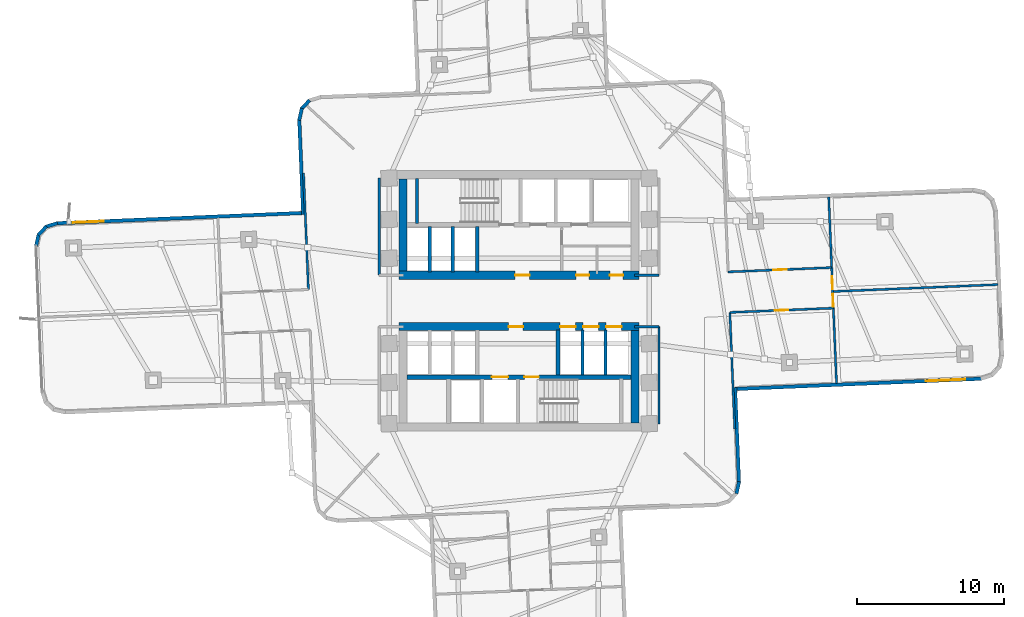
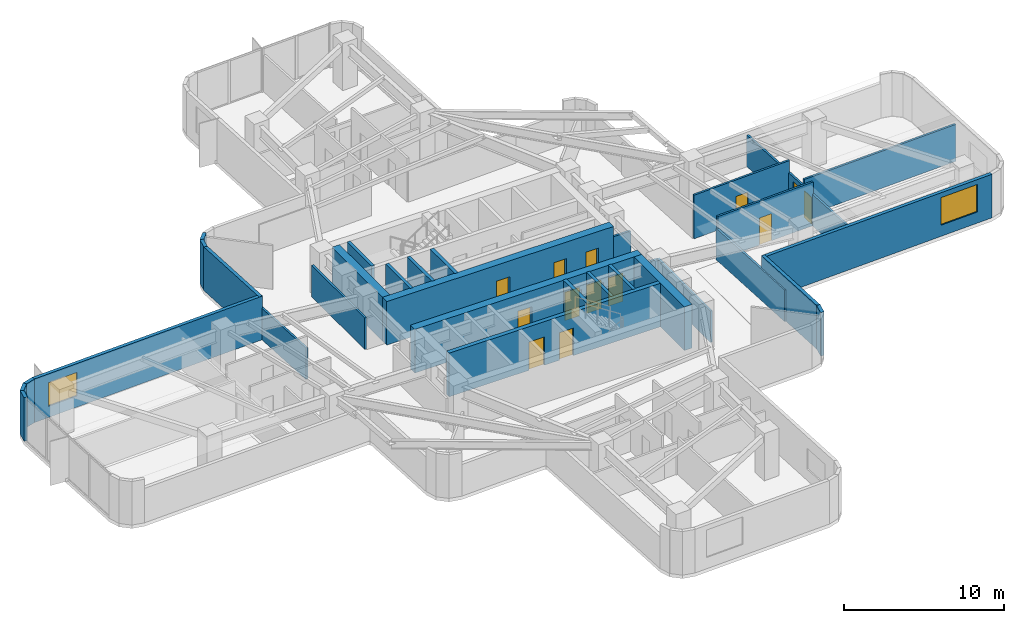
# One storey, part 9 of 15: 32 walls, 13 doors, 2 windows, 15 openings.
"""IFC4 building model written with IfcOpenShell, lengths in metres."""

import ifcopenshell
import ifcopenshell.guid

model = None  # the IFC model being written
_history = None  # IfcOwnerHistory: only IFC2X3 demands one
_inside = {}  # id of a spatial element -> (the spatial element, [elements in it])
_under = {}  # id of a project, library or spatial element -> (it, [spatial elements below it])
_declared = {}  # id of a project -> (the project, [libraries it declares])
_typed = {}  # id of a type object -> (the type object, [elements of that type])
_made_of = {}  # id of a material, layer set ... -> (it, [elements and type objects made of it])


def new_model(schema):
    """Start an empty IFC model of exactly this schema.

    Asked for "IFC4X3", IfcOpenShell would pick the latest addendum, in which some entities
    have other attributes; the version numbers below select the first issue.
    IFC2X3 requires an IfcOwnerHistory on every rooted entity: one is made here for all.
    """
    global model, _history
    if schema == "IFC4X3":
        model = ifcopenshell.file(schema_version=(4, 3, 0, 0))
    else:
        model = ifcopenshell.file(schema=schema)
    _inside.clear()
    _under.clear()
    _declared.clear()
    _typed.clear()
    _made_of.clear()
    _history = None
    if model.schema == "IFC2X3":
        org = make("IfcOrganization", Name="unknown")
        user = make(
            "IfcPersonAndOrganization",
            ThePerson=make("IfcPerson", FamilyName="unknown"),
            TheOrganization=org,
        )
        app = make(
            "IfcApplication",
            ApplicationDeveloper=org,
            Version="unknown",
            ApplicationFullName="unknown",
            ApplicationIdentifier="unknown",
        )
        _history = make(
            "IfcOwnerHistory",
            OwningUser=user,
            OwningApplication=app,
            ChangeAction="ADDED",
            CreationDate=0,
        )
    return model


def make(cls, **values):
    """One entity of the class cls with the attributes given. An attribute that is None is left unset."""
    return model.create_entity(
        cls, **{name: value for name, value in values.items() if value is not None}
    )


def rooted(cls, **values):
    """An entity with a GlobalId (a new one), such as an element, a storey or a relation."""
    return make(cls, GlobalId=ifcopenshell.guid.new(), OwnerHistory=_history, **values)


def si_unit(unit_type, name, prefix=None):
    """IfcSIUnit, for example si_unit("LENGTHUNIT", "METRE", prefix="MILLI")."""
    return make("IfcSIUnit", UnitType=unit_type, Prefix=prefix, Name=name)


def assignment(units):
    """IfcUnitAssignment: the units of a project."""
    return None if units is None else make("IfcUnitAssignment", Units=units)


def point(xyz):
    """IfcCartesianPoint."""
    return None if xyz is None else make("IfcCartesianPoint", Coordinates=xyz)


def direction(xyz):
    """IfcDirection."""
    return None if xyz is None else make("IfcDirection", DirectionRatios=xyz)


def frame(location, z_axis=None, x_axis=None):
    """IfcAxis2Placement3D, a coordinate frame: its origin and axes. An axis left out is left unset."""
    return make(
        "IfcAxis2Placement3D",
        Location=point(location),
        Axis=direction(z_axis),
        RefDirection=direction(x_axis),
    )


def frame_2d(location, x_axis=None):
    """IfcAxis2Placement2D, a coordinate frame in the plane: its origin and x axis."""
    return make(
        "IfcAxis2Placement2D", Location=point(location), RefDirection=direction(x_axis)
    )


def origin():
    """The frame at (0, 0, 0) with its axes left unset."""
    return frame((0.0, 0.0, 0.0))


def place(relative_to, where):
    """IfcLocalPlacement: puts the frame where relative to a parent placement (None: the world)."""
    return make(
        "IfcLocalPlacement", PlacementRelTo=relative_to, RelativePlacement=where
    )


def context(
    kind, dimensions, precision=None, world=None, true_north=None, identifier=None
):
    """IfcGeometricRepresentationContext, for example the 3D "Model" context."""
    return make(
        "IfcGeometricRepresentationContext",
        ContextIdentifier=identifier,
        ContextType=kind,
        CoordinateSpaceDimension=dimensions,
        Precision=precision,
        WorldCoordinateSystem=world,
        TrueNorth=true_north,
    )


def subcontext(parent, identifier, kind, view, scale=None):
    """IfcGeometricRepresentationSubContext, for example "Body" below "Model"."""
    return make(
        "IfcGeometricRepresentationSubContext",
        ContextIdentifier=identifier,
        ContextType=kind,
        ParentContext=parent,
        TargetScale=scale,
        TargetView=view,
    )


def project(units=None, contexts=None):
    """IfcProject with its units and contexts."""
    return rooted(
        "IfcProject",
        Name="project",
        RepresentationContexts=contexts,
        UnitsInContext=assignment(units),
    )


def spatial(cls, under=None, at=None, **own):
    """A site, building, storey or space (cls), placed at a placement, below another one or the project."""
    s = rooted(cls, ObjectPlacement=at, **own)
    if under is not None:
        _under.setdefault(under.id(), (under, []))[1].append(s)
    return s


def profile(cls, at=None, kind="AREA", **sizes):
    """A parametric profile (cls). Its sizes go by their IFC names, for example OverallWidth=200.0."""
    return make(cls, ProfileType=kind, Position=at, **sizes)


def rectangle(**sizes):
    """IfcRectangleProfileDef."""
    return profile("IfcRectangleProfileDef", **sizes)


def extrude(swept, where, along, depth):
    """IfcExtrudedAreaSolid: the profile swept, set in the frame where, extruded along a direction by depth."""
    return make(
        "IfcExtrudedAreaSolid",
        SweptArea=swept,
        Position=where,
        ExtrudedDirection=direction(along),
        Depth=depth,
    )


def shape(context_of_items, identifier, shape_type, items):
    """IfcShapeRepresentation: the items that make up one representation, for example the "Body"."""
    return make(
        "IfcShapeRepresentation",
        ContextOfItems=context_of_items,
        RepresentationIdentifier=identifier,
        RepresentationType=shape_type,
        Items=items,
    )


def material(Name=None, Category=None):
    """IfcMaterial."""
    return make("IfcMaterial", Name=Name, Category=Category)


def layer(
    of_material, thickness, ventilated=None, Name=None, Category=None, Priority=None
):
    """IfcMaterialLayer: one layer of a wall or slab, of a material (None: an air gap)."""
    return make(
        "IfcMaterialLayer",
        Material=of_material,
        LayerThickness=thickness,
        IsVentilated=ventilated,
        Name=Name,
        Category=Category,
        Priority=Priority,
    )


def layer_set(layers, Name=None):
    """IfcMaterialLayerSet."""
    return make("IfcMaterialLayerSet", MaterialLayers=layers, LayerSetName=Name)


def made_of(thing, what):
    """Note that an element or type object is made of a material, layer set ...; save() writes the relation."""
    if what is not None:
        _made_of.setdefault(what.id(), (what, []))[1].append(thing)
    return thing


def type_object(cls, material=None, **own):
    """A type object (cls), such as IfcWallType, which elements share."""
    return made_of(rooted(cls, **own), material)


def element(
    cls,
    number,
    at=None,
    inside=None,
    cuts=None,
    type_object=None,
    material=None,
    context=None,
    identifier="Body",
    shape_type=None,
    held_by="IfcProductDefinitionShape",
    body=None,
    shapes=None,
    **own,
):
    """One element of the class cls, such as IfcWall. Its Tag is "e" and its number.

    at: its placement. inside: the storey or other place that contains it. cuts: it is an
    opening in that element (IfcRelVoidsElement). A single representation is given by context,
    identifier, shape_type and body (its items); several are given by shapes. held_by: the class
    of the entity that holds the representations. save() writes the other relations.
    """
    e = rooted(cls, Tag="e%d" % number, ObjectPlacement=at, **own)
    if body is not None:
        shapes = [shape(context, identifier, shape_type, body)]
    if shapes is not None:
        e.Representation = make(held_by, Representations=shapes)
    if inside is not None:
        _inside.setdefault(inside.id(), (inside, []))[1].append(e)
    if cuts is not None:
        rooted(
            "IfcRelVoidsElement", RelatingBuildingElement=cuts, RelatedOpeningElement=e
        )
    if type_object is not None:
        _typed.setdefault(type_object.id(), (type_object, []))[1].append(e)
    return made_of(e, material)


def fill(opening, filler):
    """IfcRelFillsElement: the door or window that sits in an opening."""
    return rooted(
        "IfcRelFillsElement",
        RelatingOpeningElement=opening,
        RelatedBuildingElement=filler,
    )


def aggregate(whole, parts):
    """IfcRelAggregates: a whole, such as a stair, and the parts it consists of."""
    return rooted("IfcRelAggregates", RelatingObject=whole, RelatedObjects=parts)


def save(model, path):
    """Write the relations noted so far, then the file.

    IfcRelAggregates (storeys below a building ...), IfcRelContainedInSpatialStructure (elements
    in a storey), IfcRelDefinesByType, IfcRelAssociatesMaterial and IfcRelDeclares: one each for
    every whole, place, type object, material and project.
    """
    for whole, parts in _under.values():
        aggregate(whole, parts)
    for where, things in _inside.values():
        rooted(
            "IfcRelContainedInSpatialStructure",
            RelatedElements=things,
            RelatingStructure=where,
        )
    for kind, things in _typed.values():
        rooted("IfcRelDefinesByType", RelatedObjects=things, RelatingType=kind)
    for what, things in _made_of.values():
        rooted("IfcRelAssociatesMaterial", RelatedObjects=things, RelatingMaterial=what)
    for by, libraries in _declared.values():
        rooted("IfcRelDeclares", RelatingContext=by, RelatedDefinitions=libraries)
    model.write(path)


model = new_model("IFC4")

# Units and contexts
model_context = context("Model", 3, precision=1e-05, world=origin(), true_north=direction((0.0, 1.0)))
body_context = subcontext(model_context, "Body", "Model", "MODEL_VIEW")
ifc_project = project(units=[si_unit("LENGTHUNIT", "METRE"), si_unit("AREAUNIT", "SQUARE_METRE"), si_unit("VOLUMEUNIT", "CUBIC_METRE"), si_unit("PLANEANGLEUNIT", "RADIAN"), si_unit("MASSUNIT", "GRAM", prefix="KILO")], contexts=[model_context])

# Site, building, storey
site_placement = place(None, origin())
site = spatial("IfcSite", under=ifc_project, at=site_placement, CompositionType="ELEMENT")
building_placement = place(site_placement, origin())
building = spatial("IfcBuilding", under=site, at=building_placement, Name="Solmarez Civic Tower", CompositionType="ELEMENT")
storey_placement = place(building_placement, frame((0.0, 0.0, 46.080078125)))
storey = spatial("IfcBuildingStorey", under=building, at=storey_placement, Name="L11", CompositionType="ELEMENT", Elevation=46.080078125)

# Wall, openings, doors
ifc_material_1 = material(Name="Concrete C60/75", Category="concrete")
ifc_layer_1 = layer(ifc_material_1, 0.550048828125)
ifc_layer_set_1 = layer_set([ifc_layer_1], Name="Concrete C60/75")
wall_type_1 = type_object("IfcWallType", Name="WALL-CORE-550", PredefinedType="SHEAR", material=ifc_layer_set_1)
wall_1_placement = place(storey_placement, frame((8.169921875, 1.75, 0.0), z_axis=(0.0, 0.0, 1.0), x_axis=(-1.0, 0.0, 0.0)))
wall_1 = element("IfcWall", 1, at=wall_1_placement, inside=storey, type_object=wall_type_1, Name="L11 Split-Core Structural Wall NCW-S-L11", PredefinedType="SHEAR", context=body_context, shape_type="SweptSolid", body=[
    extrude(rectangle(XDim=16.33984375, YDim=0.550048828125, at=frame_2d((8.169921875, 0.0))), origin(), (0.0, 0.0, 1.0), 3.31982421875),
])
opening_1_placement = place(wall_1_placement, frame((7.449951171875, 0.0, 0.0)))
opening_1 = element("IfcOpeningElement", 2, at=opening_1_placement, cuts=wall_1, Name="Opening D-04", PredefinedType="OPENING", context=body_context, shape_type="SweptSolid", body=[
    extrude(rectangle(XDim=1.0, YDim=2.10009765625, at=frame_2d((0.5, 1.050048828125))), frame((0.0, 0.284912109375, 0.0), z_axis=(0.0, -1.0, 0.0), x_axis=(1.0, 0.0, 0.0)), (0.0, 0.0, 1.0), 0.570068359375),
])
opening_2_placement = place(wall_1_placement, frame((3.39990234375, 0.0, 0.0)))
opening_2 = element("IfcOpeningElement", 3, at=opening_2_placement, cuts=wall_1, Name="Opening D-09", PredefinedType="OPENING", context=body_context, shape_type="SweptSolid", body=[
    extrude(rectangle(XDim=0.89990234375, YDim=2.06005859375, at=frame_2d((0.449951171875, 1.030029296875))), frame((0.0, 0.284912109375, 0.0), z_axis=(0.0, -1.0, 0.0), x_axis=(1.0, 0.0, 0.0)), (0.0, 0.0, 1.0), 0.570068359375),
])
opening_3_placement = place(wall_1_placement, frame((1.10009765625, 0.0, 0.0)))
opening_3 = element("IfcOpeningElement", 4, at=opening_3_placement, cuts=wall_1, Name="Opening D-09", PredefinedType="OPENING", context=body_context, shape_type="SweptSolid", body=[
    extrude(rectangle(XDim=0.89990234375, YDim=2.06005859375, at=frame_2d((0.449951171875, 1.030029296875))), frame((0.0, 0.284912109375, 0.0), z_axis=(0.0, -1.0, 0.0), x_axis=(1.0, 0.0, 0.0)), (0.0, 0.0, 1.0), 0.570068359375),
])
ifc_material_2 = material(Name="Steel-Faced Acoustic Fire Door", Category="steel")
door_type_1 = type_object("IfcDoorType", Name="DOOR-FD60-1000", OperationType="NOTDEFINED", PredefinedType="DOOR", material=ifc_material_2)
door_1_placement = place(opening_1_placement, origin())
door_1 = element("IfcDoor", 5, at=door_1_placement, inside=storey, type_object=door_type_1, Name="L11 North Firefighting Lobby Door", OperationType="SINGLE_SWING_RIGHT", OverallHeight=2.10009765625, OverallWidth=1.0, PredefinedType="DOOR", context=body_context, shape_type="SweptSolid", body=[
    extrude(rectangle(XDim=1.0, YDim=2.10009765625, at=frame_2d((0.5, 1.050048828125))), frame((0.0, 0.02490234375, 0.0), z_axis=(0.0, -1.0, 0.0), x_axis=(1.0, 0.0, 0.0)), (0.0, 0.0, 1.0), 0.050048828125),
])
fill(opening_1, door_1)
ifc_material_3 = material(Name="Fire-Rated Service Core Door", Category="wood")
door_type_2 = type_object("IfcDoorType", Name="DOOR-FD60-900", OperationType="NOTDEFINED", PredefinedType="DOOR", material=ifc_material_3)
door_2_placement = place(opening_2_placement, origin())
door_2 = element("IfcDoor", 6, at=door_2_placement, inside=storey, type_object=door_type_2, Name="L11 Core WC Door", OperationType="SINGLE_SWING_LEFT", OverallHeight=2.06005859375, OverallWidth=0.89990234375, PredefinedType="DOOR", context=body_context, shape_type="SweptSolid", body=[
    extrude(rectangle(XDim=0.89990234375, YDim=2.06005859375, at=frame_2d((0.449951171875, 1.030029296875))), frame((0.0, 0.02490234375, 0.0), z_axis=(0.0, -1.0, 0.0), x_axis=(1.0, 0.0, 0.0)), (0.0, 0.0, 1.0), 0.050048828125),
])
fill(opening_2, door_2)
door_3_placement = place(opening_3_placement, origin())
door_3 = element("IfcDoor", 7, at=door_3_placement, inside=storey, type_object=door_type_2, Name="L11 Core CL Door", OperationType="SINGLE_SWING_RIGHT", OverallHeight=2.06005859375, OverallWidth=0.89990234375, PredefinedType="DOOR", context=body_context, shape_type="SweptSolid", body=[
    extrude(rectangle(XDim=0.89990234375, YDim=2.06005859375, at=frame_2d((0.449951171875, 1.030029296875))), frame((0.0, 0.02490234375, 0.0), z_axis=(0.0, -1.0, 0.0), x_axis=(1.0, 0.0, 0.0)), (0.0, 0.0, 1.0), 0.050048828125),
])
fill(opening_3, door_3)

# Wall
wall_2_placement = place(storey_placement, frame((-7.89501953125, 2.02490234375, 0.0), z_axis=(0.0, 0.0, 1.0), x_axis=(0.0, 1.0, 0.0)))
element("IfcWall", 8, at=wall_2_placement, inside=storey, type_object=wall_type_1, Name="L11 Split-Core Structural Wall NCW-W-L11", PredefinedType="SHEAR", context=body_context, shape_type="SweptSolid", body=[
    extrude(rectangle(XDim=6.28515625, YDim=0.550048828125, at=frame_2d((3.142578125, 0.0))), origin(), (0.0, 0.0, 1.0), 3.31982421875),
])

# Wall, openings, doors
wall_3_placement = place(storey_placement, frame((-8.169921875, -1.75, 0.0), z_axis=(0.0, 0.0, 1.0), x_axis=(1.0, 0.0, 0.0)))
wall_3 = element("IfcWall", 9, at=wall_3_placement, inside=storey, type_object=wall_type_1, Name="L11 Split-Core Structural Wall SCW-N-L11", PredefinedType="SHEAR", context=body_context, shape_type="SweptSolid", body=[
    extrude(rectangle(XDim=16.33984375, YDim=0.550048828125, at=frame_2d((8.169921875, 0.0))), origin(), (0.0, 0.0, 1.0), 3.31982421875),
])
opening_4_placement = place(wall_3_placement, frame((7.449951171875, 0.0, 0.0)))
opening_4 = element("IfcOpeningElement", 10, at=opening_4_placement, cuts=wall_3, Name="Opening D-04", PredefinedType="OPENING", context=body_context, shape_type="SweptSolid", body=[
    extrude(rectangle(XDim=1.0, YDim=2.10009765625, at=frame_2d((0.5, 1.050048828125))), frame((0.0, 0.284912109375, 0.0), z_axis=(0.0, -1.0, 0.0), x_axis=(1.0, 0.0, 0.0)), (0.0, 0.0, 1.0), 0.570068359375),
])
opening_5_placement = place(wall_3_placement, frame((10.965087890625, 0.0, 0.0)))
opening_5 = element("IfcOpeningElement", 11, at=opening_5_placement, cuts=wall_3, Name="Opening LD-01", PredefinedType="OPENING", context=body_context, shape_type="SweptSolid", body=[
    extrude(rectangle(XDim=1.050048828125, YDim=2.14990234375, at=frame_2d((0.52490234375, 1.074951171875))), frame((0.0, 0.284912109375, 0.0), z_axis=(0.0, -1.0, 0.0), x_axis=(1.0, 0.0, 0.0)), (0.0, 0.0, 1.0), 0.570068359375),
])
opening_6_placement = place(wall_3_placement, frame((12.52490234375, 0.0, 0.0)))
opening_6 = element("IfcOpeningElement", 12, at=opening_6_placement, cuts=wall_3, Name="Opening LD-01", PredefinedType="OPENING", context=body_context, shape_type="SweptSolid", body=[
    extrude(rectangle(XDim=1.050048828125, YDim=2.14990234375, at=frame_2d((0.52490234375, 1.074951171875))), frame((0.0, 0.284912109375, 0.0), z_axis=(0.0, -1.0, 0.0), x_axis=(1.0, 0.0, 0.0)), (0.0, 0.0, 1.0), 0.570068359375),
])
opening_7_placement = place(wall_3_placement, frame((14.0849609375, 0.0, 0.0)))
opening_7 = element("IfcOpeningElement", 13, at=opening_7_placement, cuts=wall_3, Name="Opening LD-01", PredefinedType="OPENING", context=body_context, shape_type="SweptSolid", body=[
    extrude(rectangle(XDim=1.050048828125, YDim=2.14990234375, at=frame_2d((0.52490234375, 1.074951171875))), frame((0.0, 0.284912109375, 0.0), z_axis=(0.0, -1.0, 0.0), x_axis=(1.0, 0.0, 0.0)), (0.0, 0.0, 1.0), 0.570068359375),
])
door_4_placement = place(opening_4_placement, origin())
door_4 = element("IfcDoor", 14, at=door_4_placement, inside=storey, type_object=door_type_1, Name="L11 South Firefighting Lobby Door", OperationType="SINGLE_SWING_LEFT", OverallHeight=2.10009765625, OverallWidth=1.0, PredefinedType="DOOR", context=body_context, shape_type="SweptSolid", body=[
    extrude(rectangle(XDim=1.0, YDim=2.10009765625, at=frame_2d((0.5, 1.050048828125))), frame((0.0, 0.02490234375, 0.0), z_axis=(0.0, -1.0, 0.0), x_axis=(1.0, 0.0, 0.0)), (0.0, 0.0, 1.0), 0.050048828125),
])
fill(opening_4, door_4)
ifc_material_4 = material(Name="Bronze Passenger Lift Landing Sliding Door", Category="aluminium")
door_type_3 = type_object("IfcDoorType", Name="DOOR-LD-PAX-1050", OperationType="DOUBLE_DOOR_SLIDING", PredefinedType="DOOR", material=ifc_material_4)
door_5_placement = place(opening_5_placement, origin())
door_5 = element("IfcDoor", 15, at=door_5_placement, inside=storey, type_object=door_type_3, Name="L11 Low-Rise Lift Landing Door PL-L1", OperationType="DOUBLE_DOOR_SLIDING", OverallHeight=2.14990234375, OverallWidth=1.050048828125, PredefinedType="DOOR", context=body_context, shape_type="SweptSolid", body=[
    extrude(rectangle(XDim=1.050048828125, YDim=2.14990234375, at=frame_2d((0.52490234375, 1.074951171875))), frame((0.0, 0.02490234375, 0.0), z_axis=(0.0, -1.0, 0.0), x_axis=(1.0, 0.0, 0.0)), (0.0, 0.0, 1.0), 0.050048828125),
])
fill(opening_5, door_5)
door_6_placement = place(opening_6_placement, origin())
door_6 = element("IfcDoor", 16, at=door_6_placement, inside=storey, type_object=door_type_3, Name="L11 Low-Rise Lift Landing Door PL-L2", OperationType="DOUBLE_DOOR_SLIDING", OverallHeight=2.14990234375, OverallWidth=1.050048828125, PredefinedType="DOOR", context=body_context, shape_type="SweptSolid", body=[
    extrude(rectangle(XDim=1.050048828125, YDim=2.14990234375, at=frame_2d((0.52490234375, 1.074951171875))), frame((0.0, 0.02490234375, 0.0), z_axis=(0.0, -1.0, 0.0), x_axis=(1.0, 0.0, 0.0)), (0.0, 0.0, 1.0), 0.050048828125),
])
fill(opening_6, door_6)
door_7_placement = place(opening_7_placement, origin())
door_7 = element("IfcDoor", 17, at=door_7_placement, inside=storey, type_object=door_type_3, Name="L11 Low-Rise Lift Landing Door PL-L3", OperationType="DOUBLE_DOOR_SLIDING", OverallHeight=2.14990234375, OverallWidth=1.050048828125, PredefinedType="DOOR", context=body_context, shape_type="SweptSolid", body=[
    extrude(rectangle(XDim=1.050048828125, YDim=2.14990234375, at=frame_2d((0.52490234375, 1.074951171875))), frame((0.0, 0.02490234375, 0.0), z_axis=(0.0, -1.0, 0.0), x_axis=(1.0, 0.0, 0.0)), (0.0, 0.0, 1.0), 0.050048828125),
])
fill(opening_7, door_7)

# Walls
wall_4_placement = place(storey_placement, frame((7.89501953125, -2.02490234375, 0.0), z_axis=(0.0, 0.0, 1.0), x_axis=(0.0, -1.0, 0.0)))
element("IfcWall", 18, at=wall_4_placement, inside=storey, type_object=wall_type_1, Name="L11 Split-Core Structural Wall SCW-E-L11", PredefinedType="SHEAR", context=body_context, shape_type="SweptSolid", body=[
    extrude(rectangle(XDim=6.28515625, YDim=0.550048828125, at=frame_2d((3.142578125, 0.0))), origin(), (0.0, 0.0, 1.0), 3.31982421875),
])
ifc_material_5 = material(Name="Precast concrete C40/50", Category="concrete")
ifc_layer_2 = layer(ifc_material_5, 0.239990234375)
ifc_layer_set_2 = layer_set([ifc_layer_2], Name="Precast concrete C40/50")
wall_type_2 = type_object("IfcWallType", Name="WALL-EXT-240", PredefinedType="SOLIDWALL", material=ifc_layer_set_2)
wall_5_placement = place(storey_placement, frame((-32.8701171875, 3.70703125, 0.0), z_axis=(0.0, 0.0, 1.0), x_axis=(0.21711735544, 0.976145508604, 0.0)))
element("IfcWall", 19, at=wall_5_placement, inside=storey, type_object=wall_type_2, Name="L11 Exterior Precast Wall 7", PredefinedType="SOLIDWALL", context=body_context, shape_type="SweptSolid", body=[
    extrude(rectangle(XDim=0.829833984375, YDim=0.239990234375, at=frame_2d((0.4150390625, 0.0))), origin(), (0.0, 0.0, 1.0), 3.31982421875),
])
wall_6_placement = place(storey_placement, frame((-32.7119140625, 4.47509765625, 0.0), z_axis=(0.0, 0.0, 1.0), x_axis=(0.677693750404, 0.735344259965, 0.0)))
element("IfcWall", 20, at=wall_6_placement, inside=storey, type_object=wall_type_2, Name="L11 Exterior Precast Wall 8", PredefinedType="SOLIDWALL", context=body_context, shape_type="SweptSolid", body=[
    extrude(rectangle(XDim=0.81298828125, YDim=0.239990234375, at=frame_2d((0.406494140625, 0.0))), origin(), (0.0, 0.0, 1.0), 3.31982421875),
])
wall_7_placement = place(storey_placement, frame((-32.201904296875, 5.048095703125, 0.0), z_axis=(0.0, 0.0, 1.0), x_axis=(0.954814146828, 0.297203541393, 0.0)))
element("IfcWall", 21, at=wall_7_placement, inside=storey, type_object=wall_type_2, Name="L11 Exterior Precast Wall 9", PredefinedType="SOLIDWALL", context=body_context, shape_type="SweptSolid", body=[
    extrude(rectangle(XDim=0.83056640625, YDim=0.239990234375, at=frame_2d((0.415283203125, 0.0))), origin(), (0.0, 0.0, 1.0), 3.31982421875),
])

# Wall, opening, window
wall_8_placement = place(storey_placement, frame((-31.4580078125, 5.287109375, 0.0), z_axis=(0.0, 0.0, 1.0), x_axis=(0.999122484842, 0.041883890494, 0.0)))
wall_8 = element("IfcWall", 22, at=wall_8_placement, inside=storey, type_object=wall_type_2, Name="L11 Exterior Precast Wall 10", PredefinedType="SOLIDWALL", context=body_context, shape_type="SweptSolid", body=[
    extrude(rectangle(XDim=16.875, YDim=0.239990234375, at=frame_2d((8.4375, 0.0))), origin(), (0.0, 0.0, 1.0), 3.31982421875),
])
opening_8_placement = place(wall_8_placement, frame((1.10009765625, 0.0, 0.85009765625)))
opening_8 = element("IfcOpeningElement", 23, at=opening_8_placement, cuts=wall_8, Name="Opening W-07", PredefinedType="OPENING", context=body_context, shape_type="SweptSolid", body=[
    extrude(rectangle(XDim=2.10009765625, YDim=1.800048828125, at=frame_2d((1.050048828125, 0.89990234375))), frame((0.0, 0.1298828125, 0.0), z_axis=(0.0, -1.0, 0.0), x_axis=(1.0, 0.0, 0.0)), (0.0, 0.0, 1.0), 0.260009765625),
])
ifc_material_6 = material(Name="Solar Control Bronze-Tinted Insulating Glass", Category="glass")
window_type_1 = type_object("IfcWindowType", Name="WIN-2100X1800", PartitioningType="SINGLE_PANEL", PredefinedType="WINDOW", material=ifc_material_6)
window_1_placement = place(opening_8_placement, origin())
window_1 = element("IfcWindow", 24, at=window_1_placement, inside=storey, type_object=window_type_1, Name="L11 Exterior Facade Window 10", OverallHeight=1.800048828125, OverallWidth=2.10009765625, PartitioningType="SINGLE_PANEL", PredefinedType="WINDOW", context=body_context, shape_type="SweptSolid", body=[
    extrude(rectangle(XDim=2.10009765625, YDim=1.800048828125, at=frame_2d((1.050048828125, 0.89990234375))), frame((0.0, 0.030029296875, 0.0), z_axis=(0.0, -1.0, 0.0), x_axis=(1.0, 0.0, 0.0)), (0.0, 0.0, 1.0), 0.06005859375),
])
fill(opening_8, window_1)

# Walls
wall_9_placement = place(storey_placement, frame((-14.68994140625, 5.89404296875, 0.0), z_axis=(0.0, 0.0, 1.0), x_axis=(-0.041827173477, 0.999124860845, 0.0)))
element("IfcWall", 25, at=wall_9_placement, inside=storey, type_object=wall_type_2, Name="L11 Exterior Precast Wall 13", PredefinedType="SOLIDWALL", context=body_context, shape_type="SweptSolid", body=[
    extrude(rectangle(XDim=6.45556640625, YDim=0.239990234375, at=frame_2d((3.227783203125, 0.0))), origin(), (0.0, 0.0, 1.0), 3.31982421875),
])
wall_10_placement = place(storey_placement, frame((-14.964111328125, 12.294921875, 0.0), z_axis=(0.0, 0.0, 1.0), x_axis=(0.21736704137, 0.976089939158, 0.0)))
element("IfcWall", 26, at=wall_10_placement, inside=storey, type_object=wall_type_2, Name="L11 Exterior Precast Wall 14", PredefinedType="SOLIDWALL", context=body_context, shape_type="SweptSolid", body=[
    extrude(rectangle(XDim=0.828857421875, YDim=0.239990234375, at=frame_2d((0.41455078125, 0.0))), origin(), (0.0, 0.0, 1.0), 3.31982421875),
])
wall_11_placement = place(storey_placement, frame((-14.805908203125, 13.06201171875, 0.0), z_axis=(0.0, 0.0, 1.0), x_axis=(0.677693750404, 0.735344259965, 0.0)))
element("IfcWall", 27, at=wall_11_placement, inside=storey, type_object=wall_type_2, Name="L11 Exterior Precast Wall 15", PredefinedType="SOLIDWALL", context=body_context, shape_type="SweptSolid", body=[
    extrude(rectangle(XDim=0.81298828125, YDim=0.239990234375, at=frame_2d((0.406494140625, 0.0))), origin(), (0.0, 0.0, 1.0), 3.31982421875),
])

# Wall, opening, window
wall_12_placement = place(storey_placement, frame((31.4580078125, -5.287109375, 0.0), z_axis=(0.0, 0.0, 1.0), x_axis=(-0.999122484842, -0.041883890494, 0.0)))
wall_12 = element("IfcWall", 28, at=wall_12_placement, inside=storey, type_object=wall_type_2, Name="L11 Exterior Precast Wall 46", PredefinedType="SOLIDWALL", context=body_context, shape_type="SweptSolid", body=[
    extrude(rectangle(XDim=16.875, YDim=0.239990234375, at=frame_2d((8.4375, 0.0))), origin(), (0.0, 0.0, 1.0), 3.31982421875),
])
opening_9_placement = place(wall_12_placement, frame((1.10009765625, 0.0, 0.85009765625)))
opening_9 = element("IfcOpeningElement", 29, at=opening_9_placement, cuts=wall_12, Name="Opening W-01", PredefinedType="OPENING", context=body_context, shape_type="SweptSolid", body=[
    extrude(rectangle(XDim=2.699951171875, YDim=2.10009765625, at=frame_2d((1.35009765625, 1.050048828125))), frame((0.0, 0.1298828125, 0.0), z_axis=(0.0, -1.0, 0.0), x_axis=(1.0, 0.0, 0.0)), (0.0, 0.0, 1.0), 0.260009765625),
])
window_type_2 = type_object("IfcWindowType", Name="WIN-2700X2100", PartitioningType="SINGLE_PANEL", PredefinedType="WINDOW", material=ifc_material_6)
window_2_placement = place(opening_9_placement, origin())
window_2 = element("IfcWindow", 30, at=window_2_placement, inside=storey, type_object=window_type_2, Name="L11 Exterior Facade Window 46", OverallHeight=2.10009765625, OverallWidth=2.699951171875, PartitioningType="SINGLE_PANEL", PredefinedType="WINDOW", context=body_context, shape_type="SweptSolid", body=[
    extrude(rectangle(XDim=2.699951171875, YDim=2.10009765625, at=frame_2d((1.35009765625, 1.050048828125))), frame((0.0, 0.030029296875, 0.0), z_axis=(0.0, -1.0, 0.0), x_axis=(1.0, 0.0, 0.0)), (0.0, 0.0, 1.0), 0.06005859375),
])
fill(opening_9, window_2)

# Walls
wall_13_placement = place(storey_placement, frame((14.68994140625, -5.89404296875, 0.0), z_axis=(0.0, 0.0, 1.0), x_axis=(0.041827173477, -0.999124860845, 0.0)))
element("IfcWall", 31, at=wall_13_placement, inside=storey, type_object=wall_type_2, Name="L11 Exterior Precast Wall 49", PredefinedType="SOLIDWALL", context=body_context, shape_type="SweptSolid", body=[
    extrude(rectangle(XDim=6.45556640625, YDim=0.239990234375, at=frame_2d((3.227783203125, 0.0))), origin(), (0.0, 0.0, 1.0), 3.31982421875),
])
wall_14_placement = place(storey_placement, frame((14.964111328125, -12.294921875, 0.0), z_axis=(0.0, 0.0, 1.0), x_axis=(-0.21736704137, -0.976089939158, 0.0)))
element("IfcWall", 32, at=wall_14_placement, inside=storey, type_object=wall_type_2, Name="L11 Exterior Precast Wall 50", PredefinedType="SOLIDWALL", context=body_context, shape_type="SweptSolid", body=[
    extrude(rectangle(XDim=0.828857421875, YDim=0.239990234375, at=frame_2d((0.41455078125, 0.0))), origin(), (0.0, 0.0, 1.0), 3.31982421875),
])
ifc_material_7 = material(Name="Gypsum Board Acoustic Steel-Stud Partition", Category="steel")
ifc_layer_3 = layer(ifc_material_7, 0.14990234375)
ifc_layer_set_3 = layer_set([ifc_layer_3], Name="Gypsum Board Acoustic Steel-Stud Partition")
wall_type_3 = type_object("IfcWallType", Name="WALL-INT-FIRE-150", PredefinedType="PARTITIONING", material=ifc_layer_set_3)
wall_15_placement = place(storey_placement, frame((-9.52001953125, 1.75, 0.0), z_axis=(0.0, 0.0, 1.0), x_axis=(0.0, 1.0, 0.0)))
element("IfcWall", 33, at=wall_15_placement, inside=storey, type_object=wall_type_3, Name="L11 Interior Partition CHW-L11-WN1", PredefinedType="PARTITIONING", context=body_context, shape_type="SweptSolid", body=[
    extrude(rectangle(XDim=6.6298828125, YDim=0.14990234375, at=frame_2d((3.31494140625, 0.0))), origin(), (0.0, 0.0, 1.0), 2.40087890625),
])
wall_16_placement = place(storey_placement, frame((7.85009765625, 1.75, 0.0), z_axis=(0.0, 0.0, 1.0), x_axis=(1.0, 0.0, 0.0)))
element("IfcWall", 34, at=wall_16_placement, inside=storey, type_object=wall_type_3, Name="L11 Interior Partition CHW-L11-EN3", PredefinedType="PARTITIONING", context=body_context, shape_type="SweptSolid", body=[
    extrude(rectangle(XDim=1.669921875, YDim=0.14990234375, at=frame_2d((0.8349609375, 0.0))), origin(), (0.0, 0.0, 1.0), 2.385009765625),
])
wall_17_placement = place(storey_placement, frame((9.52001953125, -8.3798828125, 0.0), z_axis=(0.0, 0.0, 1.0), x_axis=(0.0, 1.0, 0.0)))
element("IfcWall", 35, at=wall_17_placement, inside=storey, type_object=wall_type_3, Name="L11 Interior Partition CHW-L11-ES1", PredefinedType="PARTITIONING", context=body_context, shape_type="SweptSolid", body=[
    extrude(rectangle(XDim=6.6298828125, YDim=0.14990234375, at=frame_2d((3.31494140625, 0.0))), origin(), (0.0, 0.0, 1.0), 2.40087890625),
])
wall_18_placement = place(storey_placement, frame((7.85009765625, -1.75, 0.0), z_axis=(0.0, 0.0, 1.0), x_axis=(1.0, 0.0, 0.0)))
element("IfcWall", 36, at=wall_18_placement, inside=storey, type_object=wall_type_3, Name="L11 Interior Partition CHW-L11-ES3", PredefinedType="PARTITIONING", context=body_context, shape_type="SweptSolid", body=[
    extrude(rectangle(XDim=1.669921875, YDim=0.14990234375, at=frame_2d((0.8349609375, 0.0))), origin(), (0.0, 0.0, 1.0), 2.385009765625),
])
ifc_layer_4 = layer(ifc_material_7, 0.14501953125)
ifc_layer_set_4 = layer_set([ifc_layer_4], Name="Gypsum Board Acoustic Steel-Stud Partition")
wall_type_4 = type_object("IfcWallType", Name="WALL-INT-PART-150", PredefinedType="PARTITIONING", material=ifc_layer_set_4)
wall_19_placement = place(storey_placement, frame((14.66796875, -8.714111328125, 0.0), z_axis=(0.0, 0.0, 1.0), x_axis=(-0.041882146625, 0.999122557945, 0.0)))
element("IfcWall", 37, at=wall_19_placement, inside=storey, type_object=wall_type_4, Name="L11 Interior Partition PT-L11-E-EFR", PredefinedType="PARTITIONING", context=body_context, shape_type="SweptSolid", body=[
    extrude(rectangle(XDim=7.951171875, YDim=0.14501953125, at=frame_2d((3.9755859375, 0.0))), origin(), (0.0, 0.0, 1.0), 2.40087890625),
])

# Wall, opening, door
wall_20_placement = place(storey_placement, frame((21.262939453125, 2.27197265625, 0.0), z_axis=(0.0, 0.0, 1.0), x_axis=(-0.999124408039, -0.041837988246, 0.0)))
wall_20 = element("IfcWall", 38, at=wall_20_placement, inside=storey, type_object=wall_type_4, Name="L11 Interior Partition PT-L11-E-SL", PredefinedType="PARTITIONING", context=body_context, shape_type="SweptSolid", body=[
    extrude(rectangle(XDim=7.049072265625, YDim=0.14501953125, at=frame_2d((3.5244140625, 0.0))), origin(), (0.0, 0.0, 1.0), 3.31982421875),
])
opening_10_placement = place(wall_20_placement, frame((3.073974609375, 0.0, 0.0)))
opening_10 = element("IfcOpeningElement", 39, at=opening_10_placement, cuts=wall_20, Name="Opening D-08", PredefinedType="OPENING", context=body_context, shape_type="SweptSolid", body=[
    extrude(rectangle(XDim=0.89990234375, YDim=2.06005859375, at=frame_2d((0.449951171875, 1.030029296875))), frame((0.0, 0.08251953125, 0.0), z_axis=(0.0, -1.0, 0.0), x_axis=(1.0, 0.0, 0.0)), (0.0, 0.0, 1.0), 0.1650390625),
])
ifc_material_8 = material(Name="Solid-Core Timber Office Door", Category="wood")
door_type_4 = type_object("IfcDoorType", Name="DOOR-INT-900", OperationType="NOTDEFINED", PredefinedType="DOOR", material=ifc_material_8)
door_8_placement = place(opening_10_placement, origin())
door_8 = element("IfcDoor", 40, at=door_8_placement, inside=storey, type_object=door_type_4, Name="L11 Citizen Consultation Room East Door", OperationType="SINGLE_SWING_LEFT", OverallHeight=2.06005859375, OverallWidth=0.89990234375, PredefinedType="DOOR", context=body_context, shape_type="SweptSolid", body=[
    extrude(rectangle(XDim=0.89990234375, YDim=2.06005859375, at=frame_2d((0.449951171875, 1.030029296875))), frame((0.0, 0.02490234375, 0.0), z_axis=(0.0, -1.0, 0.0), x_axis=(1.0, 0.0, 0.0)), (0.0, 0.0, 1.0), 0.050048828125),
])
fill(opening_10, door_8)

wall_21_placement = place(storey_placement, frame((14.3349609375, -0.780029296875, 0.0), z_axis=(0.0, 0.0, 1.0), x_axis=(0.999124650485, 0.041832198038, 0.0)))
wall_21 = element("IfcWall", 41, at=wall_21_placement, inside=storey, type_object=wall_type_4, Name="L11 Interior Partition PT-L11-E-SR", PredefinedType="PARTITIONING", context=body_context, shape_type="SweptSolid", body=[
    extrude(rectangle(XDim=7.050048828125, YDim=0.14501953125, at=frame_2d((3.52490234375, 0.0))), origin(), (0.0, 0.0, 1.0), 3.31982421875),
])
opening_11_placement = place(wall_21_placement, frame((3.074951171875, 0.0, 0.0)))
opening_11 = element("IfcOpeningElement", 42, at=opening_11_placement, cuts=wall_21, Name="Opening D-08", PredefinedType="OPENING", context=body_context, shape_type="SweptSolid", body=[
    extrude(rectangle(XDim=0.89990234375, YDim=2.06005859375, at=frame_2d((0.449951171875, 1.030029296875))), frame((0.0, 0.08251953125, 0.0), z_axis=(0.0, -1.0, 0.0), x_axis=(1.0, 0.0, 0.0)), (0.0, 0.0, 1.0), 0.1650390625),
])
door_9_placement = place(opening_11_placement, origin())
door_9 = element("IfcDoor", 43, at=door_9_placement, inside=storey, type_object=door_type_4, Name="L11 Policy Administration Office East Door", OperationType="SINGLE_SWING_RIGHT", OverallHeight=2.06005859375, OverallWidth=0.89990234375, PredefinedType="DOOR", context=body_context, shape_type="SweptSolid", body=[
    extrude(rectangle(XDim=0.89990234375, YDim=2.06005859375, at=frame_2d((0.449951171875, 1.030029296875))), frame((0.0, 0.02490234375, 0.0), z_axis=(0.0, -1.0, 0.0), x_axis=(1.0, 0.0, 0.0)), (0.0, 0.0, 1.0), 0.050048828125),
])
fill(opening_11, door_9)

# Wall
wall_22_placement = place(storey_placement, frame((21.39208984375, 0.64599609375, 0.0), z_axis=(0.0, 0.0, 1.0), x_axis=(0.999122039379, 0.041894515479, 0.0)))
element("IfcWall", 44, at=wall_22_placement, inside=storey, type_object=wall_type_4, Name="L11 Interior Partition PT-L11-E-TM", PredefinedType="PARTITIONING", context=body_context, shape_type="SweptSolid", body=[
    extrude(rectangle(XDim=11.194580078125, YDim=0.14501953125, at=frame_2d((5.59716796875, 0.0))), origin(), (0.0, 0.0, 1.0), 2.81201171875),
])

# Wall, openings, doors
wall_23_placement = place(storey_placement, frame((21.06201171875, 7.0830078125, 0.0), z_axis=(0.0, 0.0, 1.0), x_axis=(0.041855051962, -0.999123693356, 0.0)))
wall_23 = element("IfcWall", 45, at=wall_23_placement, inside=storey, type_object=wall_type_4, Name="L11 Interior Partition PT-L11-E-END", PredefinedType="PARTITIONING", context=body_context, shape_type="SweptSolid", body=[
    extrude(rectangle(XDim=12.710205078125, YDim=0.14501953125, at=frame_2d((6.35498046875, 0.0))), origin(), (0.0, 0.0, 1.0), 2.40087890625),
])
opening_12_placement = place(wall_23_placement, frame((6.614990234375, 0.0, 0.0)))
opening_12 = element("IfcOpeningElement", 46, at=opening_12_placement, cuts=wall_23, Name="Opening D-14", PredefinedType="OPENING", context=body_context, shape_type="SweptSolid", body=[
    extrude(rectangle(XDim=0.860107421875, YDim=2.0400390625, at=frame_2d((0.43017578125, 1.02001953125))), frame((0.0, 0.08251953125, 0.0), z_axis=(0.0, -1.0, 0.0), x_axis=(1.0, 0.0, 0.0)), (0.0, 0.0, 1.0), 0.1650390625),
])
opening_13_placement = place(wall_23_placement, frame((5.4150390625, 0.0, 0.0)))
opening_13 = element("IfcOpeningElement", 47, at=opening_13_placement, cuts=wall_23, Name="Opening D-14", PredefinedType="OPENING", context=body_context, shape_type="SweptSolid", body=[
    extrude(rectangle(XDim=0.860107421875, YDim=2.0400390625, at=frame_2d((0.43017578125, 1.02001953125))), frame((0.0, 0.08251953125, 0.0), z_axis=(0.0, -1.0, 0.0), x_axis=(1.0, 0.0, 0.0)), (0.0, 0.0, 1.0), 0.1650390625),
])
ifc_material_9 = material(Name="Timber Storage and Pantry Door", Category="wood")
door_type_5 = type_object("IfcDoorType", Name="DOOR-INT-850", OperationType="NOTDEFINED", PredefinedType="DOOR", material=ifc_material_9)
door_10_placement = place(opening_12_placement, origin())
door_10 = element("IfcDoor", 48, at=door_10_placement, inside=storey, type_object=door_type_5, Name="L11 Legal Counselling Room Sixth East Door", OperationType="SINGLE_SWING_RIGHT", OverallHeight=2.0400390625, OverallWidth=0.860107421875, PredefinedType="DOOR", context=body_context, shape_type="SweptSolid", body=[
    extrude(rectangle(XDim=0.860107421875, YDim=2.0400390625, at=frame_2d((0.43017578125, 1.02001953125))), frame((0.0, 0.02490234375, 0.0), z_axis=(0.0, -1.0, 0.0), x_axis=(1.0, 0.0, 0.0)), (0.0, 0.0, 1.0), 0.050048828125),
])
fill(opening_12, door_10)
door_11_placement = place(opening_13_placement, origin())
door_11 = element("IfcDoor", 49, at=door_11_placement, inside=storey, type_object=door_type_5, Name="L11 Directorate Office Fifth East Door", OperationType="SINGLE_SWING_LEFT", OverallHeight=2.0400390625, OverallWidth=0.860107421875, PredefinedType="DOOR", context=body_context, shape_type="SweptSolid", body=[
    extrude(rectangle(XDim=0.860107421875, YDim=2.0400390625, at=frame_2d((0.43017578125, 1.02001953125))), frame((0.0, 0.02490234375, 0.0), z_axis=(0.0, -1.0, 0.0), x_axis=(1.0, 0.0, 0.0)), (0.0, 0.0, 1.0), 0.050048828125),
])
fill(opening_13, door_11)

# Wall
wall_24_placement = place(storey_placement, frame((-14.66796875, 8.714111328125, 0.0), z_axis=(0.0, 0.0, 1.0), x_axis=(0.041882146625, -0.999122557945, 0.0)))
element("IfcWall", 50, at=wall_24_placement, inside=storey, type_object=wall_type_4, Name="L11 Interior Partition PT-L11-W-EFR", PredefinedType="PARTITIONING", context=body_context, shape_type="SweptSolid", body=[
    extrude(rectangle(XDim=7.951171875, YDim=0.14501953125, at=frame_2d((3.9755859375, 0.0))), origin(), (0.0, 0.0, 1.0), 2.40087890625),
])

# Wall, openings, doors
ifc_material_10 = material(Name="Concrete C50/60", Category="concrete")
ifc_layer_5 = layer(ifc_material_10, 0.300048828125)
ifc_layer_set_5 = layer_set([ifc_layer_5], Name="Concrete C50/60")
wall_type_5 = type_object("IfcWallType", Name="WALL-STR-300", PredefinedType="SOLIDWALL", material=ifc_layer_set_5)
wall_25_placement = place(storey_placement, frame((-7.6201171875, -5.179931640625, 0.0), z_axis=(0.0, 0.0, 1.0), x_axis=(1.0, 0.0, 0.0)))
wall_25 = element("IfcWall", 51, at=wall_25_placement, inside=storey, type_object=wall_type_5, Name="L11 Split-Core Structural Wall SCW-M-L11", PredefinedType="SOLIDWALL", context=body_context, shape_type="SweptSolid", body=[
    extrude(rectangle(XDim=15.240234375, YDim=0.300048828125, at=frame_2d((7.6201171875, 0.0))), origin(), (0.0, 0.0, 1.0), 3.31982421875),
])
opening_14_placement = place(wall_25_placement, frame((5.77001953125, 0.0, 0.0)))
opening_14 = element("IfcOpeningElement", 52, at=opening_14_placement, cuts=wall_25, Name="Opening LD-02", PredefinedType="OPENING", context=body_context, shape_type="SweptSolid", body=[
    extrude(rectangle(XDim=1.10009765625, YDim=2.14990234375, at=frame_2d((0.550048828125, 1.074951171875))), frame((0.0, 0.159912109375, 0.0), z_axis=(0.0, -1.0, 0.0), x_axis=(1.0, 0.0, 0.0)), (0.0, 0.0, 1.0), 0.320068359375),
])
opening_15_placement = place(wall_25_placement, frame((7.969970703125, 0.0, 0.0)))
opening_15 = element("IfcOpeningElement", 53, at=opening_15_placement, cuts=wall_25, Name="Opening D-05", PredefinedType="OPENING", context=body_context, shape_type="SweptSolid", body=[
    extrude(rectangle(XDim=1.0, YDim=2.10009765625, at=frame_2d((0.5, 1.050048828125))), frame((0.0, 0.159912109375, 0.0), z_axis=(0.0, -1.0, 0.0), x_axis=(1.0, 0.0, 0.0)), (0.0, 0.0, 1.0), 0.320068359375),
])
ifc_material_11 = material(Name="Fire-Rated Stairwell Exit Door", Category="wood")
door_type_6 = type_object("IfcDoorType", Name="DOOR-FD90-1000", OperationType="NOTDEFINED", PredefinedType="DOOR", material=ifc_material_11)
door_12_placement = place(opening_15_placement, origin())
door_12 = element("IfcDoor", 54, at=door_12_placement, inside=storey, type_object=door_type_6, Name="L11 South Exit Stair Door ST-2", OperationType="SINGLE_SWING_LEFT", OverallHeight=2.10009765625, OverallWidth=1.0, PredefinedType="DOOR", context=body_context, shape_type="SweptSolid", body=[
    extrude(rectangle(XDim=1.0, YDim=2.10009765625, at=frame_2d((0.5, 1.050048828125))), frame((0.0, 0.02490234375, 0.0), z_axis=(0.0, -1.0, 0.0), x_axis=(1.0, 0.0, 0.0)), (0.0, 0.0, 1.0), 0.050048828125),
])
fill(opening_15, door_12)
ifc_material_12 = material(Name="Stainless Firefighting Lift Landing Sliding Door", Category="aluminium")
door_type_7 = type_object("IfcDoorType", Name="DOOR-LD-FF-1100", OperationType="DOUBLE_DOOR_SLIDING", PredefinedType="DOOR", material=ifc_material_12)
door_13_placement = place(opening_14_placement, origin())
door_13 = element("IfcDoor", 55, at=door_13_placement, inside=storey, type_object=door_type_7, Name="L11 Firefighting Lift Landing Door FFL-2", OperationType="DOUBLE_DOOR_SLIDING", OverallHeight=2.14990234375, OverallWidth=1.10009765625, PredefinedType="DOOR", context=body_context, shape_type="SweptSolid", body=[
    extrude(rectangle(XDim=1.10009765625, YDim=2.14990234375, at=frame_2d((0.550048828125, 1.074951171875))), frame((0.0, 0.02490234375, 0.0), z_axis=(0.0, -1.0, 0.0), x_axis=(1.0, 0.0, 0.0)), (0.0, 0.0, 1.0), 0.050048828125),
])
fill(opening_14, door_13)

# Walls
wall_26_placement = place(storey_placement, frame((-6.949951171875, 5.280029296875, 0.0), z_axis=(0.0, 0.0, 1.0), x_axis=(0.0, 1.0, 0.0)))
element("IfcWall", 56, at=wall_26_placement, inside=storey, type_object=wall_type_5, Name="L11 Split-Core Structural Wall SHW-NW-L11", PredefinedType="SOLIDWALL", context=body_context, shape_type="SweptSolid", body=[
    extrude(rectangle(XDim=3.06005859375, YDim=0.219970703125, at=frame_2d((1.530029296875, 0.0))), origin(), (0.0, 0.0, 1.0), 3.31982421875),
])
for number, where, z_axis, x_axis, name in (
    (57, (-2.85009765625, 1.97998046875, 0.0), (0.0, 0.0, 1.0), (0.0, 1.0, 0.0), "L11 Split-Core Structural Wall SHW-NL1-L11"),
    (58, (2.64990234375, -5.050048828125, 0.0), (0.0, 0.0, 1.0), (0.0, 1.0, 0.0), "L11 Split-Core Structural Wall SHW-SL2-L11"),
):
    element("IfcWall", number, at=place(storey_placement, frame(where, z_axis=z_axis, x_axis=x_axis)), inside=storey, type_object=wall_type_5, Name=name, PredefinedType="SOLIDWALL", context=body_context, shape_type="SweptSolid", body=[
        extrude(rectangle(XDim=3.070068359375, YDim=0.25, at=frame_2d((1.53515625, 0.0))), origin(), (0.0, 0.0, 1.0), 3.31982421875),
    ])
for number, where, z_axis, x_axis, name in (
    (59, (-6.080078125, 1.97998046875, 0.0), (0.0, 0.0, 1.0), (0.0, 1.0, 0.0), "L11 Split-Core Structural Wall SHW-PLH-L11-1"),
    (60, (-4.52001953125, 1.97998046875, 0.0), (0.0, 0.0, 1.0), (0.0, 1.0, 0.0), "L11 Split-Core Structural Wall SHW-PLH-L11-2"),
    (61, (4.320068359375, -5.050048828125, 0.0), (0.0, 0.0, 1.0), (0.0, 1.0, 0.0), "L11 Split-Core Structural Wall SHW-PLL-L11-1"),
    (62, (5.8798828125, -5.050048828125, 0.0), (0.0, 0.0, 1.0), (0.0, 1.0, 0.0), "L11 Split-Core Structural Wall SHW-PLL-L11-2"),
):
    element("IfcWall", number, at=place(storey_placement, frame(where, z_axis=z_axis, x_axis=x_axis)), inside=storey, type_object=wall_type_5, Name=name, PredefinedType="SOLIDWALL", context=body_context, shape_type="SweptSolid", body=[
        extrude(rectangle(XDim=3.070068359375, YDim=0.219970703125, at=frame_2d((1.53515625, 0.0))), origin(), (0.0, 0.0, 1.0), 3.31982421875),
    ])

save(model, "model.ifc")
